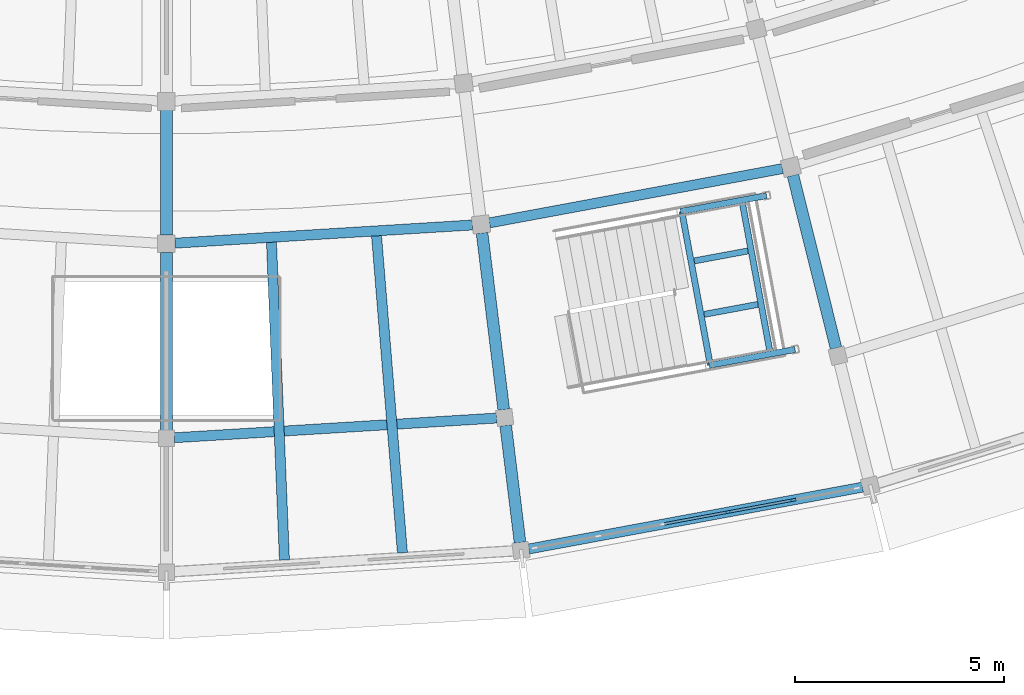
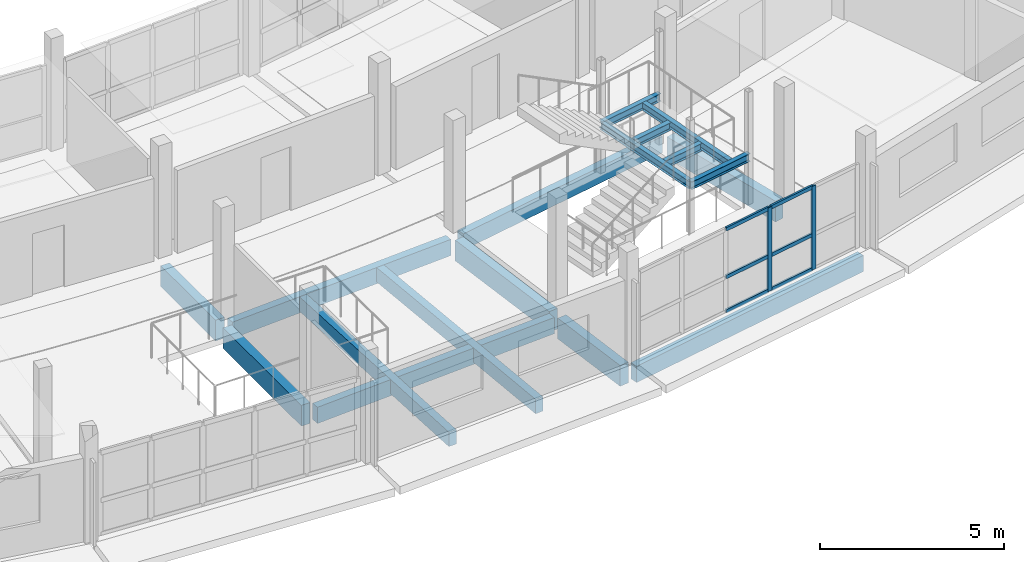
# One storey, part 22 of 66: 17 beams, 8 members, 1 element without a shape of its own.
"""IFC4 building model written with IfcOpenShell, lengths in metres."""

from ifc_helpers import new_model, si_unit, direction, frame, origin, origin_2d, place, context, subcontext, project, spatial, rectangle, i_section, extrude, material, layer, layer_set, material_profile, profile_set, type_object, element, aggregate, save


model = new_model("IFC4")

# Units and contexts
model_context = context("Model", 3, precision=1e-05, world=origin(), true_north=direction((0.0, 1.0)))
body_context = subcontext(model_context, "Body", "Model", "MODEL_VIEW")
ifc_project = project(units=[si_unit("LENGTHUNIT", "METRE"), si_unit("AREAUNIT", "SQUARE_METRE"), si_unit("VOLUMEUNIT", "CUBIC_METRE"), si_unit("PLANEANGLEUNIT", "RADIAN"), si_unit("MASSUNIT", "GRAM", prefix="KILO")], contexts=[model_context])

# Site, building, storey
site_placement = place(None, origin())
site = spatial("IfcSite", under=ifc_project, at=site_placement, CompositionType="ELEMENT")
building_placement = place(site_placement, origin())
building = spatial("IfcBuilding", under=site, at=building_placement, Name="Caldaven Crescent School", CompositionType="ELEMENT")
storey_placement = place(building_placement, frame((0.0, 0.0, 8.159912109375)))
storey = spatial("IfcBuildingStorey", under=building, at=storey_placement, Name="L02", CompositionType="ELEMENT", Elevation=8.159912109375)

# Beams
ifc_material_1 = material(Name="Glulam MLE24h (GL28h)", Category="wood")
ifc_material_profile_1 = material_profile(ifc_material_1, rectangle(XDim=0.239990234375, YDim=0.5400390625, at=origin_2d()), Name="MLE 240x540")
ifc_profile_set_1 = profile_set([ifc_material_profile_1], Name="Glulam MLE24h (GL28h)")
beam_type_1 = type_object("IfcBeamType", Name="BM-GL54", PredefinedType="BEAM", material=ifc_profile_set_1)
beam_1_placement = place(storey_placement, frame((88.20458984375, 34.3125, -0.52001953125), z_axis=(0.998135297493, 0.061040379248, 0.0), x_axis=(-0.061040379248, 0.998135297493, 0.0)))
element("IfcBeam", 1, at=beam_1_placement, inside=storey, type_object=beam_type_1, Name="BMT-V5-L02-1253", PredefinedType="BEAM", context=body_context, shape_type="SweptSolid", body=[
    extrude(rectangle(XDim=0.239990234375, YDim=0.5400390625, at=origin_2d()), origin(), (0.0, 0.0, 1.0), 7.123291015625),
])
beam_2_placement = place(storey_placement, frame((88.189697265625, 29.66162109375, -0.52001953125), z_axis=(0.998134259729, 0.061057346455, 0.0), x_axis=(-0.061057346455, 0.998134259729, 0.0)))
element("IfcBeam", 2, at=beam_2_placement, inside=storey, type_object=beam_type_1, Name="BMT-V5-L02-1254", PredefinedType="BEAM", context=body_context, shape_type="SweptSolid", body=[
    extrude(rectangle(XDim=0.239990234375, YDim=0.5400390625, at=origin_2d()), origin(), (0.0, 0.0, 1.0), 7.72119140625),
])
beam_3_placement = place(storey_placement, frame((95.720947265625, 34.79736328125, -0.52001953125), z_axis=(0.983256085787, 0.182229168257, 0.0), x_axis=(-0.182229168257, 0.983256085787, 0.0)))
element("IfcBeam", 3, at=beam_3_placement, inside=storey, type_object=beam_type_1, Name="BMT-V5-L02-1262", PredefinedType="BEAM", context=body_context, shape_type="SweptSolid", body=[
    extrude(rectangle(XDim=0.239990234375, YDim=0.5400390625, at=origin_2d()), origin(), (0.0, 0.0, 1.0), 7.12353515625),
])
ifc_material_profile_2 = material_profile(ifc_material_1, rectangle(XDim=0.280029296875, YDim=0.68994140625, at=origin_2d()), Name="MLE 280x690")
ifc_profile_set_2 = profile_set([ifc_material_profile_2], Name="Glulam MLE24h (GL28h)")
beam_type_2 = type_object("IfcBeamType", Name="BM-GL69", PredefinedType="BEAM", material=ifc_profile_set_2)
beam_4_placement = place(storey_placement, frame((88.0, 37.4951171875, -0.594970703125), z_axis=(0.0, -1.0, 0.0), x_axis=(1.0, 0.0, 0.0)))
element("IfcBeam", 4, at=beam_4_placement, inside=storey, type_object=beam_type_2, Name="BMR-V5-L02-1213", PredefinedType="BEAM", context=body_context, shape_type="SweptSolid", body=[
    extrude(rectangle(XDim=0.280029296875, YDim=0.68994140625, at=origin_2d()), origin(), (0.0, 0.0, 1.0), 2.990234375),
])
for number, where, z_axis, x_axis, name in (
    (5, (88.0, 34.094970703125, -0.594970703125), (0.0, -1.0, 0.0), (1.0, 0.0, 0.0), "BMR-V5-L02-1214"),
    (6, (95.54443359375, 34.556396484375, -0.594970703125), (0.121873450968, -0.992545647287, 0.0), (0.992545647287, 0.121873450968, 0.0), "BMR-V5-L02-1218"),
):
    element("IfcBeam", number, at=place(storey_placement, frame(where, z_axis=z_axis, x_axis=x_axis)), inside=storey, type_object=beam_type_2, Name=name, PredefinedType="BEAM", context=body_context, shape_type="SweptSolid", body=[
        extrude(rectangle(XDim=0.280029296875, YDim=0.68994140625, at=origin_2d()), origin(), (0.0, 0.0, 1.0), 4.2548828125),
    ])
beam_5_placement = place(storey_placement, frame((96.109130859375, 29.9560546875, -0.594970703125), z_axis=(0.121892797759, -0.992543271527, 0.0), x_axis=(0.992543271527, 0.121892797759, 0.0)))
element("IfcBeam", 7, at=beam_5_placement, inside=storey, type_object=beam_type_2, Name="BMR-V5-L02-1219", PredefinedType="BEAM", context=body_context, shape_type="SweptSolid", body=[
    extrude(rectangle(XDim=0.280029296875, YDim=0.68994140625, at=origin_2d()), origin(), (0.0, 0.0, 1.0), 2.820068359375),
])
beam_6_placement = place(storey_placement, frame((102.97607421875, 35.933837890625, -0.594970703125), z_axis=(0.24195507035, -0.970287454279, 0.0), x_axis=(0.970287454279, 0.24195507035, 0.0)))
element("IfcBeam", 8, at=beam_6_placement, inside=storey, type_object=beam_type_2, Name="BMR-V5-L02-1222", PredefinedType="BEAM", context=body_context, shape_type="SweptSolid", body=[
    extrude(rectangle(XDim=0.280029296875, YDim=0.68994140625, at=origin_2d()), origin(), (0.0, 0.0, 1.0), 4.255126953125),
])
ifc_material_2 = material(Name="Steel ASTM A572 Grade 50", Category="steel")
ifc_material_profile_3 = material_profile(ifc_material_2, i_section(OverallWidth=0.14599609375, OverallDepth=0.258056640625, WebThickness=0.006103515625, FlangeThickness=0.009033203125, FilletRadius=0.011962890625, at=origin_2d()), Name="W250x33")
ifc_profile_set_3 = profile_set([ifc_material_profile_3], Name="Steel ASTM A572 Grade 50")
beam_type_3 = type_object("IfcBeamType", Name="BM-W25", PredefinedType="BEAM", material=ifc_profile_set_3)
for number, where, z_axis, x_axis, name in (
    (9, (100.97119140625, 31.391845703125, 1.546142578125), (0.983254881215, 0.18223566766, 0.0), (-0.18223566766, 0.983254881215, 0.0), "BM-STSIDE-ST3-L02-SL"),
    (10, (100.28955078125, 35.0693359375, 1.546142578125), (0.983254881215, 0.18223566766, 0.0), (-0.18223566766, 0.983254881215, 0.0), "BM-STSIDE-ST3-L02-SR"),
):
    element("IfcBeam", number, at=place(storey_placement, frame(where, z_axis=z_axis, x_axis=x_axis)), inside=storey, type_object=beam_type_3, Name=name, PredefinedType="BEAM", context=body_context, shape_type="SweptSolid", body=[
        extrude(i_section(OverallWidth=0.14599609375, OverallDepth=0.258056640625, WebThickness=0.006103515625, FlangeThickness=0.009033203125, FilletRadius=0.011962890625, at=origin_2d()), origin(), (0.0, 0.0, 1.0), 2.08984375),
    ])
for number, where, z_axis, x_axis, name in (
    (11, (101.00048828125, 31.3974609375, 1.546142578125), (-0.182199128441, 0.983261652662, 0.0), (-0.983261652662, -0.182199128441, 0.0), "BM-STLND-ST3-L02-IN"),
    (12, (102.43603515625, 31.66357421875, 1.546142578125), (-0.182199128441, 0.983261652662, 0.0), (-0.983261652662, -0.182199128441, 0.0), "BM-STLND-ST3-L02-OUT"),
):
    element("IfcBeam", number, at=place(storey_placement, frame(where, z_axis=z_axis, x_axis=x_axis)), inside=storey, type_object=beam_type_3, Name=name, PredefinedType="BEAM", context=body_context, shape_type="SweptSolid", body=[
        extrude(i_section(OverallWidth=0.14599609375, OverallDepth=0.258056640625, WebThickness=0.006103515625, FlangeThickness=0.009033203125, FilletRadius=0.011962890625, at=origin_2d()), origin(), (0.0, 0.0, 1.0), 3.73974609375),
    ])

# Curtain wall, members
ifc_material_3 = material(Name="Anodised aluminium AA 6063-T6 and low-E double glazing", Category="aluminium")
ifc_layer = layer(ifc_material_3, 0.169921875)
ifc_layer_set = layer_set([ifc_layer], Name="Anodised aluminium AA 6063-T6 and low-E double glazing")
curtain_wall_type = type_object("IfcCurtainWallType", Name="CW-SYS1", PredefinedType="NOTDEFINED", material=ifc_layer_set)
curtain_wall_placement = place(storey_placement, origin())
curtain_wall = element("IfcCurtainWall", 13, at=curtain_wall_placement, inside=storey, type_object=curtain_wall_type, Name="CW-L02-147", PredefinedType="NOTDEFINED")
ifc_material_4 = material(Name="Anodised aluminium AA 6063-T6", Category="aluminium")
ifc_material_profile_4 = material_profile(ifc_material_4, rectangle(XDim=0.06005859375, YDim=0.14990234375, at=origin_2d()), Name="CWM 60x150")
ifc_profile_set_4 = profile_set([ifc_material_profile_4], Name="Anodised aluminium AA 6063-T6")
member_type_1 = type_object("IfcMemberType", Name="CWM-T1", PredefinedType="MULLION", material=ifc_profile_set_4)
member_1_placement = place(storey_placement, frame((101.4267578125, 27.885986328125, 0.0), z_axis=(0.0, 0.0, 1.0), x_axis=(-0.182234865564, 0.983255029874, 0.0)))
member_1 = element("IfcMember", 14, at=member_1_placement, type_object=member_type_1, Name="CW1 mullion 4", PredefinedType="MULLION", context=body_context, shape_type="SweptSolid", body=[
    extrude(rectangle(XDim=0.06005859375, YDim=0.14990234375, at=origin_2d()), origin(), (0.0, 0.0, 1.0), 2.780029296875),
])
member_2_placement = place(storey_placement, frame((102.978759765625, 28.173583984375, 0.0), z_axis=(0.0, 0.0, 1.0), x_axis=(-0.182234865564, 0.983255029874, 0.0)))
member_2 = element("IfcMember", 15, at=member_2_placement, type_object=member_type_1, Name="CW1 mullion 5", PredefinedType="MULLION", context=body_context, shape_type="SweptSolid", body=[
    extrude(rectangle(XDim=0.06005859375, YDim=0.14990234375, at=origin_2d()), origin(), (0.0, 0.0, 1.0), 2.780029296875),
])
ifc_material_profile_5 = material_profile(ifc_material_4, rectangle(XDim=0.06005859375, YDim=0.1201171875, at=origin_2d()), Name="CWT 60x120")
ifc_profile_set_5 = profile_set([ifc_material_profile_5], Name="Anodised aluminium AA 6063-T6")
member_type_2 = type_object("IfcMemberType", Name="CWT-T1", PredefinedType="USERDEFINED", material=ifc_profile_set_5)
member_3_placement = place(storey_placement, frame((99.904296875, 27.603759765625, 0.030029296875), z_axis=(0.983236124961, 0.182336838218, 0.0), x_axis=(-0.182336838218, 0.983236124961, 0.0)))
member_3 = element("IfcMember", 16, at=member_3_placement, type_object=member_type_2, Name="CW1 transom 3.1", ObjectType="TRANSOM", PredefinedType="USERDEFINED", context=body_context, shape_type="SweptSolid", body=[
    extrude(rectangle(XDim=0.06005859375, YDim=0.1201171875, at=origin_2d()), origin(), (0.0, 0.0, 1.0), 1.518310546875),
])
member_4_placement = place(storey_placement, frame((99.904296875, 27.603759765625, 1.16796875), z_axis=(0.983236124961, 0.182336838218, 0.0), x_axis=(-0.182336838218, 0.983236124961, 0.0)))
member_4 = element("IfcMember", 17, at=member_4_placement, type_object=member_type_2, Name="CW1 transom 3.2", ObjectType="TRANSOM", PredefinedType="USERDEFINED", context=body_context, shape_type="SweptSolid", body=[
    extrude(rectangle(XDim=0.06005859375, YDim=0.1201171875, at=origin_2d()), origin(), (0.0, 0.0, 1.0), 1.518310546875),
])
member_5_placement = place(storey_placement, frame((99.904296875, 27.603759765625, 2.75), z_axis=(0.983236124961, 0.182336838218, 0.0), x_axis=(-0.182336838218, 0.983236124961, 0.0)))
member_5 = element("IfcMember", 18, at=member_5_placement, type_object=member_type_2, Name="CW1 transom 3.3", ObjectType="TRANSOM", PredefinedType="USERDEFINED", context=body_context, shape_type="SweptSolid", body=[
    extrude(rectangle(XDim=0.06005859375, YDim=0.1201171875, at=origin_2d()), origin(), (0.0, 0.0, 1.0), 1.518310546875),
])
member_6_placement = place(storey_placement, frame((101.456298828125, 27.891357421875, 0.030029296875), z_axis=(0.983236124961, 0.182336838218, 0.0), x_axis=(-0.182336838218, 0.983236124961, 0.0)))
member_6 = element("IfcMember", 19, at=member_6_placement, type_object=member_type_2, Name="CW1 transom 4.1", ObjectType="TRANSOM", PredefinedType="USERDEFINED", context=body_context, shape_type="SweptSolid", body=[
    extrude(rectangle(XDim=0.06005859375, YDim=0.1201171875, at=origin_2d()), origin(), (0.0, 0.0, 1.0), 1.518310546875),
])
member_7_placement = place(storey_placement, frame((101.456298828125, 27.891357421875, 1.16796875), z_axis=(0.983236124961, 0.182336838218, 0.0), x_axis=(-0.182336838218, 0.983236124961, 0.0)))
member_7 = element("IfcMember", 20, at=member_7_placement, type_object=member_type_2, Name="CW1 transom 4.2", ObjectType="TRANSOM", PredefinedType="USERDEFINED", context=body_context, shape_type="SweptSolid", body=[
    extrude(rectangle(XDim=0.06005859375, YDim=0.1201171875, at=origin_2d()), origin(), (0.0, 0.0, 1.0), 1.518310546875),
])
member_8_placement = place(storey_placement, frame((101.456298828125, 27.891357421875, 2.75), z_axis=(0.983236124961, 0.182336838218, 0.0), x_axis=(-0.182336838218, 0.983236124961, 0.0)))
member_8 = element("IfcMember", 21, at=member_8_placement, type_object=member_type_2, Name="CW1 transom 4.3", ObjectType="TRANSOM", PredefinedType="USERDEFINED", context=body_context, shape_type="SweptSolid", body=[
    extrude(rectangle(XDim=0.06005859375, YDim=0.1201171875, at=origin_2d()), origin(), (0.0, 0.0, 1.0), 1.518310546875),
])
aggregate(curtain_wall, [member_1, member_2, member_3, member_4, member_5, member_6, member_7, member_8])

# Beams
ifc_material_profile_6 = material_profile(ifc_material_1, rectangle(XDim=0.239990234375, YDim=0.47998046875, at=origin_2d()), Name="MLE 240x480")
ifc_profile_set_6 = profile_set([ifc_material_profile_6], Name="Glulam MLE24h (GL28h)")
beam_type_4 = type_object("IfcBeamType", Name="JS-GL48", PredefinedType="JOIST", material=ifc_profile_set_6)
for number, where, z_axis, x_axis, name in (
    (22, (90.51123046875, 34.33837890625, -0.489990234375), (0.040664012435, -0.99917287698, 0.0), (0.99917287698, 0.040664012435, 0.0), "JSR-V5-L02-1257"),
    (23, (93.022216796875, 34.491943359375, -0.489990234375), (0.081390637837, -0.996682278398, 0.0), (0.996682278398, 0.081390637837, 0.0), "JSR-V5-L02-1259"),
):
    element("IfcBeam", number, at=place(storey_placement, frame(where, z_axis=z_axis, x_axis=x_axis)), inside=storey, type_object=beam_type_4, Name=name, PredefinedType="JOIST", context=body_context, shape_type="SweptSolid", body=[
        extrude(rectangle(XDim=0.239990234375, YDim=0.47998046875, at=origin_2d()), origin(), (0.0, 0.0, 1.0), 7.60693359375),
    ])
ifc_material_profile_7 = material_profile(ifc_material_2, i_section(OverallWidth=0.14599609375, OverallDepth=0.258056640625, WebThickness=0.006103515625, FlangeThickness=0.009033203125, FilletRadius=0.011962890625, at=origin_2d()), Name="W250x33")
ifc_profile_set_7 = profile_set([ifc_material_profile_7], Name="Steel ASTM A572 Grade 50")
beam_type_5 = type_object("IfcBeamType", Name="LN-W25", PredefinedType="LINTEL", material=ifc_profile_set_7)
beam_7_placement = place(storey_placement, frame((100.85693359375, 32.611572265625, 1.546142578125), z_axis=(0.983269549753, 0.182156505588, 0.0), x_axis=(-0.182156505588, 0.983269549753, 0.0)))
element("IfcBeam", 24, at=beam_7_placement, inside=storey, type_object=beam_type_5, Name="BM-STJST-ST3-L02-JL", PredefinedType="LINTEL", context=body_context, shape_type="SweptSolid", body=[
    extrude(i_section(OverallWidth=0.14599609375, OverallDepth=0.258056640625, WebThickness=0.006103515625, FlangeThickness=0.009033203125, FilletRadius=0.011962890625, at=origin_2d()), origin(), (0.0, 0.0, 1.0), 1.300048828125),
])
beam_8_placement = place(storey_placement, frame((100.6201171875, 33.8896484375, 1.546142578125), z_axis=(0.983229654228, 0.182371727651, 0.0), x_axis=(-0.182371727651, 0.983229654228, 0.0)))
element("IfcBeam", 25, at=beam_8_placement, inside=storey, type_object=beam_type_5, Name="BM-STJST-ST3-L02-JR", PredefinedType="LINTEL", context=body_context, shape_type="SweptSolid", body=[
    extrude(i_section(OverallWidth=0.14599609375, OverallDepth=0.258056640625, WebThickness=0.006103515625, FlangeThickness=0.009033203125, FilletRadius=0.011962890625, at=origin_2d()), origin(), (0.0, 0.0, 1.0), 1.2998046875),
])
ifc_material_profile_8 = material_profile(ifc_material_1, rectangle(XDim=0.239990234375, YDim=0.5400390625, at=origin_2d()), Name="MLE 240x540")
ifc_profile_set_8 = profile_set([ifc_material_profile_8], Name="Glulam MLE24h (GL28h)")
beam_type_6 = type_object("IfcBeamType", Name="SP-GL54", PredefinedType="SPANDREL", material=ifc_profile_set_8)
beam_9_placement = place(storey_placement, frame((96.662841796875, 27.0029296875, -0.52001953125), z_axis=(0.983255051002, 0.182234751571, 0.0), x_axis=(-0.182234751571, 0.983255051002, 0.0)))
element("IfcBeam", 26, at=beam_9_placement, inside=storey, type_object=beam_type_6, Name="BMT-V5-L02-1263", PredefinedType="SPANDREL", context=body_context, shape_type="SweptSolid", body=[
    extrude(rectangle(XDim=0.239990234375, YDim=0.5400390625, at=origin_2d()), origin(), (0.0, 0.0, 1.0), 8.11181640625),
])

save(model, "model.ifc")
